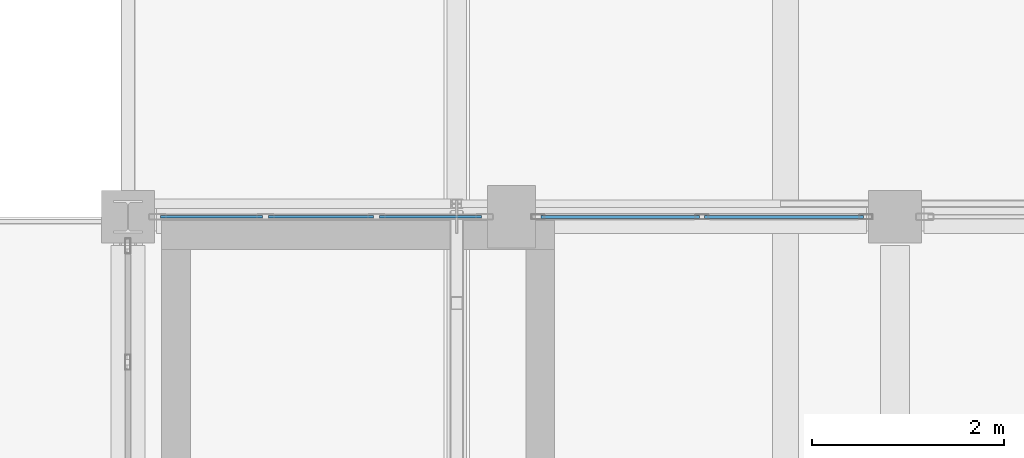
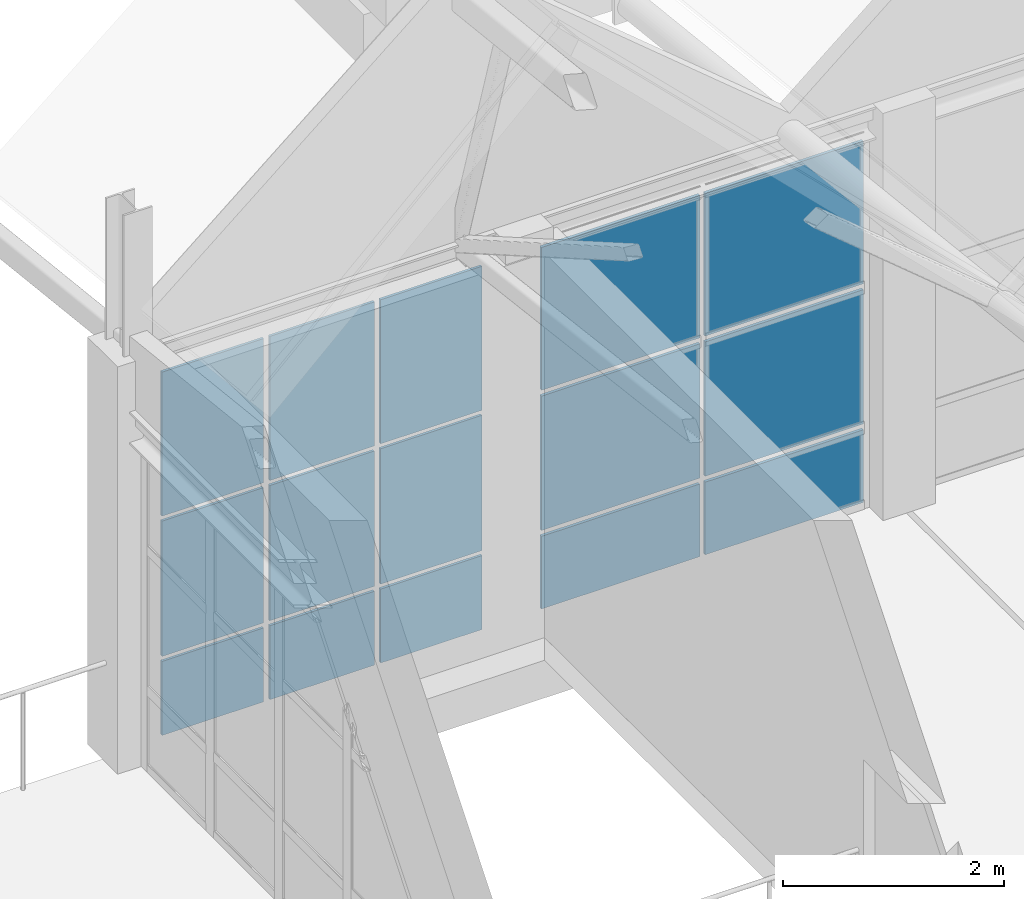
# One storey, part 122 of 183: 15 plates, 2 elements without a shape of their own.
"""IFC4 building model written with IfcOpenShell, lengths in metres."""

from ifc_helpers import new_model, si_unit, direction, frame, origin, origin_2d, place, context, subcontext, project, spatial, rectangle, extrude, material, layer, layer_set, type_object, element, aggregate, save


model = new_model("IFC4")

# Units and contexts
model_context = context("Model", 3, precision=1e-05, world=origin(), true_north=direction((0.0, 1.0)))
body_context = subcontext(model_context, "Body", "Model", "MODEL_VIEW")
ifc_project = project(units=[si_unit("LENGTHUNIT", "METRE"), si_unit("AREAUNIT", "SQUARE_METRE"), si_unit("VOLUMEUNIT", "CUBIC_METRE"), si_unit("PLANEANGLEUNIT", "RADIAN"), si_unit("MASSUNIT", "GRAM", prefix="KILO")], contexts=[model_context])

# Site, building, storey
site_placement = place(None, origin())
site = spatial("IfcSite", under=ifc_project, at=site_placement, CompositionType="ELEMENT")
building_placement = place(site_placement, origin())
building = spatial("IfcBuilding", under=site, at=building_placement, Name="Luwemba Playhouse", CompositionType="ELEMENT")
storey_placement = place(building_placement, frame((0.0, 0.0, 4.800048828125)))
storey = spatial("IfcBuildingStorey", under=building, at=storey_placement, Name="L01", CompositionType="ELEMENT", Elevation=4.800048828125)

# Curtain wall, plates
ifc_material = material(Name="Solar-control double glazing", Category="glass")
curtain_wall_type_1 = type_object("IfcCurtainWallType", Name="CW-CW117", PredefinedType="USERDEFINED", material=ifc_material)
curtain_wall_1_placement = place(storey_placement, origin())
curtain_wall_1 = element("IfcCurtainWall", 1, at=curtain_wall_1_placement, inside=storey, type_object=curtain_wall_type_1, Name="L01 V5E unitised curtain wall 155", ObjectType="UNITISED GLAZING", PredefinedType="USERDEFINED")
ifc_layer_1 = layer(ifc_material, 0.028076171875)
ifc_layer_set_1 = layer_set([ifc_layer_1], Name="Solar-control double glazing")
plate_type_1 = type_object("IfcPlateType", Name="CWP-P2", PredefinedType="CURTAIN_PANEL", material=ifc_layer_set_1)
plate_1_placement = place(storey_placement, frame((124.870361328125, 27.0, 0.054931640625), z_axis=(0.0, 0.0, 1.0), x_axis=(1.0, 0.0, 0.0)))
plate_1 = element("IfcPlate", 2, at=plate_1_placement, type_object=plate_type_1, Name="CW117 panel 1.1", PredefinedType="CURTAIN_PANEL", context=body_context, shape_type="SweptSolid", body=[
    extrude(rectangle(XDim=1.060791015625, YDim=0.028076171875, at=origin_2d()), origin(), (0.0, 0.0, 1.0), 0.8173828125),
])
plate_2_placement = place(storey_placement, frame((124.870361328125, 27.0, 0.927490234375), z_axis=(0.0, 0.0, 1.0), x_axis=(1.0, 0.0, 0.0)))
plate_2 = element("IfcPlate", 3, at=plate_2_placement, type_object=plate_type_1, Name="CW117 panel 1.2", PredefinedType="CURTAIN_PANEL", context=body_context, shape_type="SweptSolid", body=[
    extrude(rectangle(XDim=1.060791015625, YDim=0.028076171875, at=origin_2d()), origin(), (0.0, 0.0, 1.0), 1.4951171875),
])
plate_3_placement = place(storey_placement, frame((124.870361328125, 27.0, 2.4775390625), z_axis=(0.0, 0.0, 1.0), x_axis=(1.0, 0.0, 0.0)))
plate_3 = element("IfcPlate", 4, at=plate_3_placement, type_object=plate_type_1, Name="CW117 panel 1.3", PredefinedType="CURTAIN_PANEL", context=body_context, shape_type="SweptSolid", body=[
    extrude(rectangle(XDim=1.060791015625, YDim=0.028076171875, at=origin_2d()), origin(), (0.0, 0.0, 1.0), 1.592529296875),
])
plate_4_placement = place(storey_placement, frame((126.012451171875, 27.0, 0.054931640625), z_axis=(0.0, 0.0, 1.0), x_axis=(1.0, 0.0, 0.0)))
plate_4 = element("IfcPlate", 5, at=plate_4_placement, type_object=plate_type_1, Name="CW117 panel 2.1", PredefinedType="CURTAIN_PANEL", context=body_context, shape_type="SweptSolid", body=[
    extrude(rectangle(XDim=1.09326171875, YDim=0.028076171875, at=origin_2d()), origin(), (0.0, 0.0, 1.0), 0.8173828125),
])
plate_5_placement = place(storey_placement, frame((126.012451171875, 27.0, 0.927490234375), z_axis=(0.0, 0.0, 1.0), x_axis=(1.0, 0.0, 0.0)))
plate_5 = element("IfcPlate", 6, at=plate_5_placement, type_object=plate_type_1, Name="CW117 panel 2.2", PredefinedType="CURTAIN_PANEL", context=body_context, shape_type="SweptSolid", body=[
    extrude(rectangle(XDim=1.09326171875, YDim=0.028076171875, at=origin_2d()), origin(), (0.0, 0.0, 1.0), 1.4951171875),
])
plate_6_placement = place(storey_placement, frame((126.012451171875, 27.0, 2.4775390625), z_axis=(0.0, 0.0, 1.0), x_axis=(1.0, 0.0, 0.0)))
plate_6 = element("IfcPlate", 7, at=plate_6_placement, type_object=plate_type_1, Name="CW117 panel 2.3", PredefinedType="CURTAIN_PANEL", context=body_context, shape_type="SweptSolid", body=[
    extrude(rectangle(XDim=1.09326171875, YDim=0.028076171875, at=origin_2d()), origin(), (0.0, 0.0, 1.0), 1.592529296875),
])
plate_7_placement = place(storey_placement, frame((127.154541015625, 27.0, 0.054931640625), z_axis=(0.0, 0.0, 1.0), x_axis=(1.0, 0.0, 0.0)))
plate_7 = element("IfcPlate", 8, at=plate_7_placement, type_object=plate_type_1, Name="CW117 panel 3.1", PredefinedType="CURTAIN_PANEL", context=body_context, shape_type="SweptSolid", body=[
    extrude(rectangle(XDim=1.060791015625, YDim=0.028076171875, at=origin_2d()), origin(), (0.0, 0.0, 1.0), 0.8173828125),
])
plate_8_placement = place(storey_placement, frame((127.154541015625, 27.0, 0.927490234375), z_axis=(0.0, 0.0, 1.0), x_axis=(1.0, 0.0, 0.0)))
plate_8 = element("IfcPlate", 9, at=plate_8_placement, type_object=plate_type_1, Name="CW117 panel 3.2", PredefinedType="CURTAIN_PANEL", context=body_context, shape_type="SweptSolid", body=[
    extrude(rectangle(XDim=1.060791015625, YDim=0.028076171875, at=origin_2d()), origin(), (0.0, 0.0, 1.0), 1.4951171875),
])
plate_9_placement = place(storey_placement, frame((127.154541015625, 27.0, 2.4775390625), z_axis=(0.0, 0.0, 1.0), x_axis=(1.0, 0.0, 0.0)))
plate_9 = element("IfcPlate", 10, at=plate_9_placement, type_object=plate_type_1, Name="CW117 panel 3.3", PredefinedType="CURTAIN_PANEL", context=body_context, shape_type="SweptSolid", body=[
    extrude(rectangle(XDim=1.060791015625, YDim=0.028076171875, at=origin_2d()), origin(), (0.0, 0.0, 1.0), 1.592529296875),
])
aggregate(curtain_wall_1, [plate_1, plate_2, plate_3, plate_4, plate_5, plate_6, plate_7, plate_8, plate_9])

curtain_wall_type_2 = type_object("IfcCurtainWallType", Name="CW-CW118", PredefinedType="USERDEFINED", material=ifc_material)
curtain_wall_2_placement = place(storey_placement, origin())
curtain_wall_2 = element("IfcCurtainWall", 11, at=curtain_wall_2_placement, inside=storey, type_object=curtain_wall_type_2, Name="L01 V5E unitised curtain wall 156", ObjectType="UNITISED GLAZING", PredefinedType="USERDEFINED")
ifc_layer_2 = layer(ifc_material, 0.031982421875)
ifc_layer_set_2 = layer_set([ifc_layer_2], Name="Solar-control double glazing")
plate_type_2 = type_object("IfcPlateType", Name="CWP-P3", PredefinedType="CURTAIN_PANEL", material=ifc_layer_set_2)
plate_10_placement = place(storey_placement, frame((129.132568359375, 27.0, 0.06494140625), z_axis=(0.0, 0.0, 1.0), x_axis=(1.0, 0.0, 0.0)))
plate_10 = element("IfcPlate", 12, at=plate_10_placement, type_object=plate_type_2, Name="CW118 panel 1.1", PredefinedType="CURTAIN_PANEL", context=body_context, shape_type="SweptSolid", body=[
    extrude(rectangle(XDim=1.655029296875, YDim=0.031982421875, at=origin_2d()), origin(), (0.0, 0.0, 1.0), 0.802490234375),
])
plate_11_placement = place(storey_placement, frame((129.132568359375, 27.0, 0.9326171875), z_axis=(0.0, 0.0, 1.0), x_axis=(1.0, 0.0, 0.0)))
plate_11 = element("IfcPlate", 13, at=plate_11_placement, type_object=plate_type_2, Name="CW118 panel 1.2", PredefinedType="CURTAIN_PANEL", context=body_context, shape_type="SweptSolid", body=[
    extrude(rectangle(XDim=1.655029296875, YDim=0.031982421875, at=origin_2d()), origin(), (0.0, 0.0, 1.0), 1.485107421875),
])
plate_12_placement = place(storey_placement, frame((129.132568359375, 27.0, 2.482421875), z_axis=(0.0, 0.0, 1.0), x_axis=(1.0, 0.0, 0.0)))
plate_12 = element("IfcPlate", 14, at=plate_12_placement, type_object=plate_type_2, Name="CW118 panel 1.3", PredefinedType="CURTAIN_PANEL", context=body_context, shape_type="SweptSolid", body=[
    extrude(rectangle(XDim=1.655029296875, YDim=0.031982421875, at=origin_2d()), origin(), (0.0, 0.0, 1.0), 1.577392578125),
])
plate_13_placement = place(storey_placement, frame((130.842529296875, 27.0, 0.06494140625), z_axis=(0.0, 0.0, 1.0), x_axis=(1.0, 0.0, 0.0)))
plate_13 = element("IfcPlate", 15, at=plate_13_placement, type_object=plate_type_2, Name="CW118 panel 2.1", PredefinedType="CURTAIN_PANEL", context=body_context, shape_type="SweptSolid", body=[
    extrude(rectangle(XDim=1.655029296875, YDim=0.031982421875, at=origin_2d()), origin(), (0.0, 0.0, 1.0), 0.802490234375),
])
plate_14_placement = place(storey_placement, frame((130.842529296875, 27.0, 0.9326171875), z_axis=(0.0, 0.0, 1.0), x_axis=(1.0, 0.0, 0.0)))
plate_14 = element("IfcPlate", 16, at=plate_14_placement, type_object=plate_type_2, Name="CW118 panel 2.2", PredefinedType="CURTAIN_PANEL", context=body_context, shape_type="SweptSolid", body=[
    extrude(rectangle(XDim=1.655029296875, YDim=0.031982421875, at=origin_2d()), origin(), (0.0, 0.0, 1.0), 1.485107421875),
])
plate_15_placement = place(storey_placement, frame((130.842529296875, 27.0, 2.482421875), z_axis=(0.0, 0.0, 1.0), x_axis=(1.0, 0.0, 0.0)))
plate_15 = element("IfcPlate", 17, at=plate_15_placement, type_object=plate_type_2, Name="CW118 panel 2.3", PredefinedType="CURTAIN_PANEL", context=body_context, shape_type="SweptSolid", body=[
    extrude(rectangle(XDim=1.655029296875, YDim=0.031982421875, at=origin_2d()), origin(), (0.0, 0.0, 1.0), 1.577392578125),
])
aggregate(curtain_wall_2, [plate_10, plate_11, plate_12, plate_13, plate_14, plate_15])

save(model, "model.ifc")
